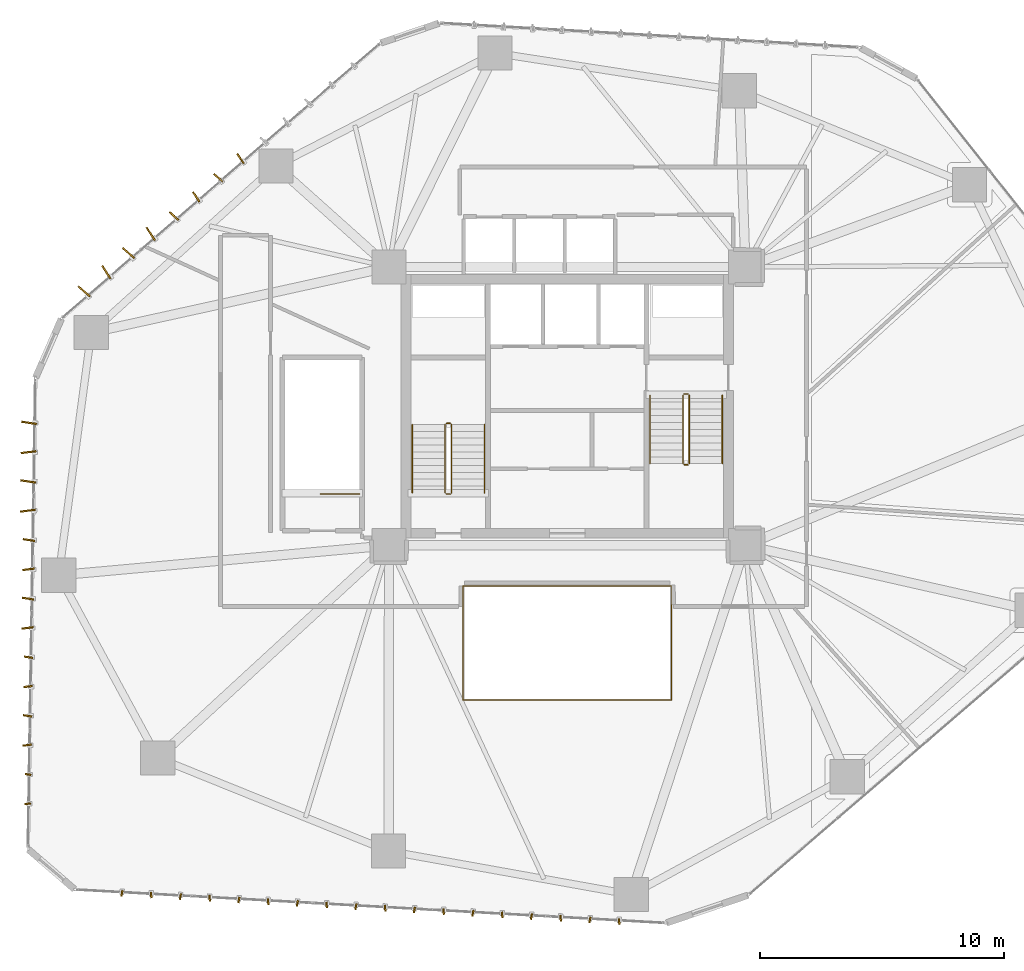
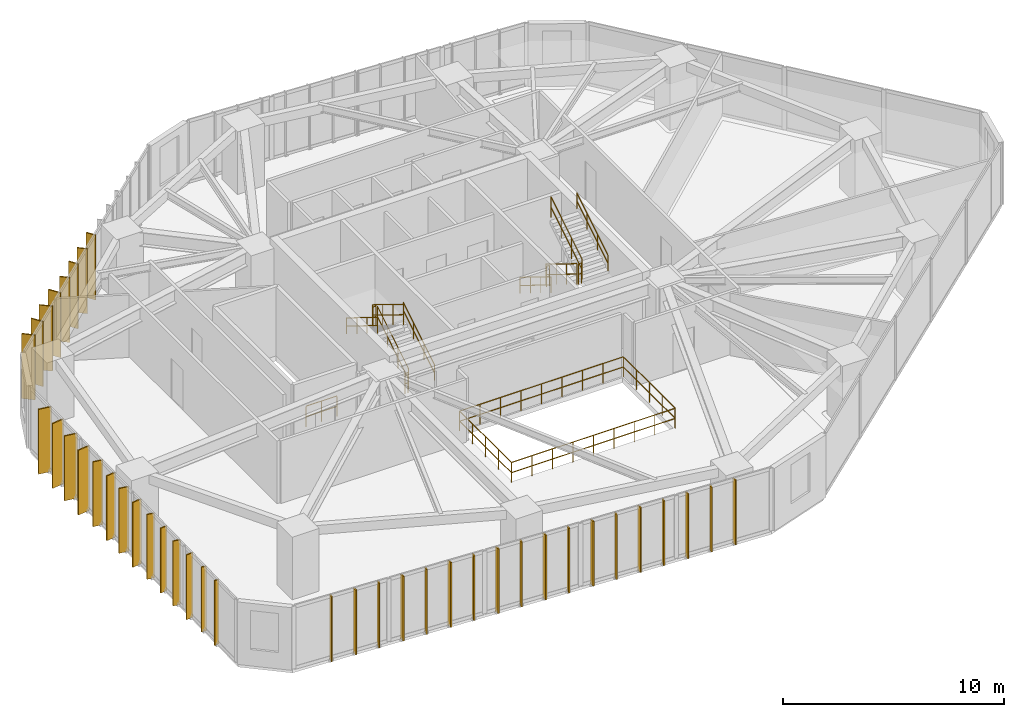
# One storey, part 22 of 24: 40 shading devices, 17 railings.
"""IFC4 building model written with IfcOpenShell, lengths in metres."""

from ifc_helpers import new_model, si_unit, direction, frame, origin, origin_2d, place, context, subcontext, project, spatial, rectangle, circle, extrude, source, transform, mapped, material, layer, layer_set, type_object, type_shapes, element, save


model = new_model("IFC4")

# Units and contexts
model_context = context("Model", 3, precision=1e-05, world=origin(), true_north=direction((0.0, 1.0)))
body_context = subcontext(model_context, "Body", "Model", "MODEL_VIEW")
ifc_project = project(units=[si_unit("LENGTHUNIT", "METRE"), si_unit("AREAUNIT", "SQUARE_METRE"), si_unit("VOLUMEUNIT", "CUBIC_METRE"), si_unit("PLANEANGLEUNIT", "RADIAN"), si_unit("MASSUNIT", "GRAM", prefix="KILO")], contexts=[model_context])

# Site, building, storey
site_placement = place(None, origin())
site = spatial("IfcSite", under=ifc_project, at=site_placement, CompositionType="ELEMENT")
building_placement = place(site_placement, origin())
building = spatial("IfcBuilding", under=site, at=building_placement, Name="Talar Marvaseh", CompositionType="ELEMENT")
storey_placement = place(building_placement, frame((0.0, 0.0, 81.0)))
storey = spatial("IfcBuildingStorey", under=building, at=storey_placement, Name="L20", CompositionType="ELEMENT", Elevation=81.0)

# Railings
ifc_material_1 = material(Name="Stainless Steel Grade 316", Category="steel")
railing_type_1 = type_object("IfcRailingType", Name="Brushed Stainless Wall Pitch Handrail 900", PredefinedType="HANDRAIL", material=ifc_material_1)
railing_1_placement = place(storey_placement, frame((22.610107421875, 27.64990234375, 0.172607421875)))
element("IfcRailing", 1, at=railing_1_placement, inside=storey, type_object=railing_type_1, Name="L20 ST-1 stair handrail 1", PredefinedType="HANDRAIL", context=body_context, shape_type="SweptSolid", body=[
    extrude(circle(Radius=0.02392578125, at=origin_2d()), frame((0.0, 0.0, 0.8759765625), z_axis=(0.0, 0.851089632645, 0.525020415988), x_axis=(-1.0, 0.0, 0.0)), (0.0, 0.0, 1.0), 3.2900390625),
    extrude(circle(Radius=0.02392578125, at=origin_2d()), frame((0.0, 0.0, 0.42578125), z_axis=(0.0, 0.851089632645, 0.525020415988), x_axis=(-1.0, 0.0, 0.0)), (0.0, 0.0, 1.0), 3.2900390625),
    extrude(circle(Radius=0.02099609375, at=origin_2d()), origin(), (0.0, 0.0, 1.0), 0.851806640625),
    extrude(circle(Radius=0.02099609375, at=origin_2d()), frame((0.0, 0.933349609375, 0.57568359375)), (0.0, 0.0, 1.0), 0.851806640625),
    extrude(circle(Radius=0.02099609375, at=origin_2d()), frame((0.0, 1.86669921875, 1.151611328125)), (0.0, 0.0, 1.0), 0.851806640625),
    extrude(circle(Radius=0.02099609375, at=origin_2d()), frame((0.0, 2.800048828125, 1.727294921875)), (0.0, 0.0, 1.0), 0.851806640625),
])
railing_2_placement = place(storey_placement, frame((19.64990234375, 30.449951171875, 2.07275390625)))
element("IfcRailing", 2, at=railing_2_placement, inside=storey, type_object=railing_type_1, Name="L20 ST-1 stair handrail 2", PredefinedType="HANDRAIL", context=body_context, shape_type="SweptSolid", body=[
    extrude(circle(Radius=0.02392578125, at=origin_2d()), frame((0.0, 0.0, 0.8759765625), z_axis=(0.0, -0.851089632645, 0.525020415988), x_axis=(1.0, 0.0, 0.0)), (0.0, 0.0, 1.0), 3.2900390625),
    extrude(circle(Radius=0.02392578125, at=origin_2d()), frame((0.0, 0.0, 0.42578125), z_axis=(0.0, -0.851089632645, 0.525020415988), x_axis=(1.0, 0.0, 0.0)), (0.0, 0.0, 1.0), 3.2900390625),
    extrude(circle(Radius=0.02099609375, at=origin_2d()), origin(), (0.0, 0.0, 1.0), 0.851806640625),
    extrude(circle(Radius=0.02099609375, at=origin_2d()), frame((0.0, -0.933349609375, 0.57568359375)), (0.0, 0.0, 1.0), 0.851806640625),
    extrude(circle(Radius=0.02099609375, at=origin_2d()), frame((0.0, -1.86669921875, 1.151611328125)), (0.0, 0.0, 1.0), 0.851806640625),
    extrude(circle(Radius=0.02099609375, at=origin_2d()), frame((0.0, -2.800048828125, 1.727294921875)), (0.0, 0.0, 1.0), 0.851806640625),
])
railing_3_placement = place(storey_placement, frame((29.389892578125, 31.64990234375, 0.172607421875)))
element("IfcRailing", 3, at=railing_3_placement, inside=storey, type_object=railing_type_1, Name="L20 ST-2 stair handrail 1", PredefinedType="HANDRAIL", context=body_context, shape_type="SweptSolid", body=[
    extrude(circle(Radius=0.02392578125, at=origin_2d()), frame((0.0, 0.0, 0.8759765625), z_axis=(0.0, -0.851069175582, 0.525053576669), x_axis=(1.0, 0.0, 0.0)), (0.0, 0.0, 1.0), 3.289794921875),
    extrude(circle(Radius=0.02392578125, at=origin_2d()), frame((0.0, 0.0, 0.42578125), z_axis=(0.0, -0.851069175582, 0.525053576669), x_axis=(1.0, 0.0, 0.0)), (0.0, 0.0, 1.0), 3.289794921875),
    extrude(circle(Radius=0.02099609375, at=origin_2d()), origin(), (0.0, 0.0, 1.0), 0.851806640625),
    extrude(circle(Radius=0.02099609375, at=origin_2d()), frame((0.0, -0.933349609375, 0.57568359375)), (0.0, 0.0, 1.0), 0.851806640625),
    extrude(circle(Radius=0.02099609375, at=origin_2d()), frame((0.0, -1.866455078125, 1.151611328125)), (0.0, 0.0, 1.0), 0.851806640625),
    extrude(circle(Radius=0.02099609375, at=origin_2d()), frame((0.0, -2.7998046875, 1.727294921875)), (0.0, 0.0, 1.0), 0.851806640625),
])
railing_4_placement = place(storey_placement, frame((32.35009765625, 28.85009765625, 2.07275390625)))
element("IfcRailing", 4, at=railing_4_placement, inside=storey, type_object=railing_type_1, Name="L20 ST-2 stair handrail 2", PredefinedType="HANDRAIL", context=body_context, shape_type="SweptSolid", body=[
    extrude(circle(Radius=0.02392578125, at=origin_2d()), frame((0.0, 0.0, 0.8759765625), z_axis=(0.0, 0.851069175582, 0.525053576669), x_axis=(-1.0, 0.0, 0.0)), (0.0, 0.0, 1.0), 3.289794921875),
    extrude(circle(Radius=0.02392578125, at=origin_2d()), frame((0.0, 0.0, 0.42578125), z_axis=(0.0, 0.851069175582, 0.525053576669), x_axis=(-1.0, 0.0, 0.0)), (0.0, 0.0, 1.0), 3.289794921875),
    extrude(circle(Radius=0.02099609375, at=origin_2d()), origin(), (0.0, 0.0, 1.0), 0.851806640625),
    extrude(circle(Radius=0.02099609375, at=origin_2d()), frame((0.0, 0.933349609375, 0.57568359375)), (0.0, 0.0, 1.0), 0.851806640625),
    extrude(circle(Radius=0.02099609375, at=origin_2d()), frame((0.0, 1.866455078125, 1.151611328125)), (0.0, 0.0, 1.0), 0.851806640625),
    extrude(circle(Radius=0.02099609375, at=origin_2d()), frame((0.0, 2.7998046875, 1.727294921875)), (0.0, 0.0, 1.0), 0.851806640625),
])
ifc_material_2 = material(Name="Tempered Clear Glass", Category="glass")
railing_type_2 = type_object("IfcRailingType", Name="Interior Atrium Edge Balustrade 1120", PredefinedType="BALUSTRADE", material=ifc_material_2)
railing_5_placement = place(storey_placement, frame((21.729736328125, 19.16162109375, 0.0)))
element("IfcRailing", 5, at=railing_5_placement, inside=storey, type_object=railing_type_2, Name="L20 Internal Daylight Atrium Balustrade 1", PredefinedType="BALUSTRADE", context=body_context, shape_type="SweptSolid", body=[
    extrude(circle(Radius=0.02392578125, at=origin_2d()), frame((0.0, 0.0, 1.09619140625), z_axis=(1.0, 0.0, 0.0), x_axis=(0.0, 1.0, 0.0)), (0.0, 0.0, 1.0), 8.54052734375),
    extrude(circle(Radius=0.02392578125, at=origin_2d()), frame((0.0, 0.0, 0.5361328125), z_axis=(1.0, 0.0, 0.0), x_axis=(0.0, 1.0, 0.0)), (0.0, 0.0, 1.0), 8.54052734375),
    extrude(circle(Radius=0.02099609375, at=origin_2d()), origin(), (0.0, 0.0, 1.0), 1.072021484375),
    extrude(circle(Radius=0.02099609375, at=origin_2d()), frame((1.067626953125, 0.0, 0.0)), (0.0, 0.0, 1.0), 1.072021484375),
    extrude(circle(Radius=0.02099609375, at=origin_2d()), frame((2.13525390625, 0.0, 0.0)), (0.0, 0.0, 1.0), 1.072021484375),
    extrude(circle(Radius=0.02099609375, at=origin_2d()), frame((3.20263671875, 0.0, 0.0)), (0.0, 0.0, 1.0), 1.072021484375),
    extrude(circle(Radius=0.02099609375, at=origin_2d()), frame((4.270263671875, 0.0, 0.0)), (0.0, 0.0, 1.0), 1.072021484375),
    extrude(circle(Radius=0.02099609375, at=origin_2d()), frame((5.337890625, 0.0, 0.0)), (0.0, 0.0, 1.0), 1.072021484375),
    extrude(circle(Radius=0.02099609375, at=origin_2d()), frame((6.4052734375, 0.0, 0.0)), (0.0, 0.0, 1.0), 1.072021484375),
    extrude(circle(Radius=0.02099609375, at=origin_2d()), frame((7.472900390625, 0.0, 0.0)), (0.0, 0.0, 1.0), 1.072021484375),
    extrude(circle(Radius=0.02099609375, at=origin_2d()), frame((8.54052734375, 0.0, 0.0)), (0.0, 0.0, 1.0), 1.072021484375),
])
railing_6_placement = place(storey_placement, frame((30.270263671875, 19.16162109375, 0.0)))
element("IfcRailing", 6, at=railing_6_placement, inside=storey, type_object=railing_type_2, Name="L20 Internal Daylight Atrium Balustrade 2", PredefinedType="BALUSTRADE", context=body_context, shape_type="SweptSolid", body=[
    extrude(circle(Radius=0.02392578125, at=origin_2d()), frame((0.0, 0.0, 1.09619140625), z_axis=(0.0, 1.0, 0.0), x_axis=(-1.0, 0.0, 0.0)), (0.0, 0.0, 1.0), 4.6767578125),
    extrude(circle(Radius=0.02392578125, at=origin_2d()), frame((0.0, 0.0, 0.5361328125), z_axis=(0.0, 1.0, 0.0), x_axis=(-1.0, 0.0, 0.0)), (0.0, 0.0, 1.0), 4.6767578125),
    extrude(circle(Radius=0.02099609375, at=origin_2d()), origin(), (0.0, 0.0, 1.0), 1.072021484375),
    extrude(circle(Radius=0.02099609375, at=origin_2d()), frame((0.0, 1.169189453125, 0.0)), (0.0, 0.0, 1.0), 1.072021484375),
    extrude(circle(Radius=0.02099609375, at=origin_2d()), frame((0.0, 2.33837890625, 0.0)), (0.0, 0.0, 1.0), 1.072021484375),
    extrude(circle(Radius=0.02099609375, at=origin_2d()), frame((0.0, 3.507568359375, 0.0)), (0.0, 0.0, 1.0), 1.072021484375),
    extrude(circle(Radius=0.02099609375, at=origin_2d()), frame((0.0, 4.6767578125, 0.0)), (0.0, 0.0, 1.0), 1.072021484375),
])
railing_7_placement = place(storey_placement, frame((30.270263671875, 23.83837890625, 0.0)))
element("IfcRailing", 7, at=railing_7_placement, inside=storey, type_object=railing_type_2, Name="L20 Internal Daylight Atrium Balustrade 3", PredefinedType="BALUSTRADE", context=body_context, shape_type="SweptSolid", body=[
    extrude(circle(Radius=0.02392578125, at=origin_2d()), frame((0.0, 0.0, 1.09619140625), z_axis=(-1.0, 0.0, 0.0), x_axis=(0.0, -1.0, 0.0)), (0.0, 0.0, 1.0), 8.54052734375),
    extrude(circle(Radius=0.02392578125, at=origin_2d()), frame((0.0, 0.0, 0.5361328125), z_axis=(-1.0, 0.0, 0.0), x_axis=(0.0, -1.0, 0.0)), (0.0, 0.0, 1.0), 8.54052734375),
    extrude(circle(Radius=0.02099609375, at=origin_2d()), origin(), (0.0, 0.0, 1.0), 1.072021484375),
    extrude(circle(Radius=0.02099609375, at=origin_2d()), frame((-1.067626953125, 0.0, 0.0)), (0.0, 0.0, 1.0), 1.072021484375),
    extrude(circle(Radius=0.02099609375, at=origin_2d()), frame((-2.13525390625, 0.0, 0.0)), (0.0, 0.0, 1.0), 1.072021484375),
    extrude(circle(Radius=0.02099609375, at=origin_2d()), frame((-3.20263671875, 0.0, 0.0)), (0.0, 0.0, 1.0), 1.072021484375),
    extrude(circle(Radius=0.02099609375, at=origin_2d()), frame((-4.270263671875, 0.0, 0.0)), (0.0, 0.0, 1.0), 1.072021484375),
    extrude(circle(Radius=0.02099609375, at=origin_2d()), frame((-5.337890625, 0.0, 0.0)), (0.0, 0.0, 1.0), 1.072021484375),
    extrude(circle(Radius=0.02099609375, at=origin_2d()), frame((-6.4052734375, 0.0, 0.0)), (0.0, 0.0, 1.0), 1.072021484375),
    extrude(circle(Radius=0.02099609375, at=origin_2d()), frame((-7.472900390625, 0.0, 0.0)), (0.0, 0.0, 1.0), 1.072021484375),
    extrude(circle(Radius=0.02099609375, at=origin_2d()), frame((-8.54052734375, 0.0, 0.0)), (0.0, 0.0, 1.0), 1.072021484375),
])
railing_8_placement = place(storey_placement, frame((21.729736328125, 23.83837890625, 0.0)))
element("IfcRailing", 8, at=railing_8_placement, inside=storey, type_object=railing_type_2, Name="L20 Internal Daylight Atrium Balustrade 4", PredefinedType="BALUSTRADE", context=body_context, shape_type="SweptSolid", body=[
    extrude(circle(Radius=0.02392578125, at=origin_2d()), frame((0.0, 0.0, 1.09619140625), z_axis=(0.0, -1.0, 0.0), x_axis=(1.0, 0.0, 0.0)), (0.0, 0.0, 1.0), 4.6767578125),
    extrude(circle(Radius=0.02392578125, at=origin_2d()), frame((0.0, 0.0, 0.5361328125), z_axis=(0.0, -1.0, 0.0), x_axis=(1.0, 0.0, 0.0)), (0.0, 0.0, 1.0), 4.6767578125),
    extrude(circle(Radius=0.02099609375, at=origin_2d()), origin(), (0.0, 0.0, 1.0), 1.072021484375),
    extrude(circle(Radius=0.02099609375, at=origin_2d()), frame((0.0, -1.169189453125, 0.0)), (0.0, 0.0, 1.0), 1.072021484375),
    extrude(circle(Radius=0.02099609375, at=origin_2d()), frame((0.0, -2.33837890625, 0.0)), (0.0, 0.0, 1.0), 1.072021484375),
    extrude(circle(Radius=0.02099609375, at=origin_2d()), frame((0.0, -3.507568359375, 0.0)), (0.0, 0.0, 1.0), 1.072021484375),
    extrude(circle(Radius=0.02099609375, at=origin_2d()), frame((0.0, -4.6767578125, 0.0)), (0.0, 0.0, 1.0), 1.072021484375),
])
railing_type_3 = type_object("IfcRailingType", Name="Painted Steel Core Stair Well Guardrail 1150", PredefinedType="GUARDRAIL", material=ifc_material_1)
railing_9_placement = place(storey_placement, frame((21.260009765625, 27.64990234375, 0.172607421875)))
element("IfcRailing", 9, at=railing_9_placement, inside=storey, type_object=railing_type_3, Name="L20 ST-1 stair guard 1", PredefinedType="GUARDRAIL", context=body_context, shape_type="SweptSolid", body=[
    extrude(circle(Radius=0.02392578125, at=origin_2d()), frame((0.0, 0.0, 1.1259765625), z_axis=(0.0, 0.851089632645, 0.525020415988), x_axis=(-1.0, 0.0, 0.0)), (0.0, 0.0, 1.0), 3.2900390625),
    extrude(circle(Radius=0.02392578125, at=origin_2d()), frame((0.0, 0.0, 0.55078125), z_axis=(0.0, 0.851089632645, 0.525020415988), x_axis=(-1.0, 0.0, 0.0)), (0.0, 0.0, 1.0), 3.2900390625),
    extrude(circle(Radius=0.02099609375, at=origin_2d()), origin(), (0.0, 0.0, 1.0), 1.101806640625),
    extrude(circle(Radius=0.02099609375, at=origin_2d()), frame((0.0, 0.933349609375, 0.57568359375)), (0.0, 0.0, 1.0), 1.101806640625),
    extrude(circle(Radius=0.02099609375, at=origin_2d()), frame((0.0, 1.86669921875, 1.151611328125)), (0.0, 0.0, 1.0), 1.101806640625),
    extrude(circle(Radius=0.02099609375, at=origin_2d()), frame((0.0, 2.800048828125, 1.727294921875)), (0.0, 0.0, 1.0), 1.101806640625),
])
railing_10_placement = place(storey_placement, frame((21.2099609375, 30.5, 1.89990234375)))
element("IfcRailing", 10, at=railing_10_placement, inside=storey, type_object=railing_type_3, Name="L20 ST-1 stair guard 2", PredefinedType="GUARDRAIL", context=body_context, shape_type="SweptSolid", body=[
    extrude(circle(Radius=0.02392578125, at=origin_2d()), frame((0.0, 0.0, 1.1259765625), z_axis=(-1.0, 0.0, 0.0), x_axis=(0.0, -1.0, 0.0)), (0.0, 0.0, 1.0), 0.159912109375),
    extrude(circle(Radius=0.02392578125, at=origin_2d()), frame((0.0, 0.0, 0.55078125), z_axis=(-1.0, 0.0, 0.0), x_axis=(0.0, -1.0, 0.0)), (0.0, 0.0, 1.0), 0.159912109375),
    extrude(circle(Radius=0.02099609375, at=origin_2d()), origin(), (0.0, 0.0, 1.0), 1.101806640625),
    extrude(circle(Radius=0.02099609375, at=origin_2d()), frame((-0.159912109375, 0.0, 0.0)), (0.0, 0.0, 1.0), 1.101806640625),
])
railing_11_placement = place(storey_placement, frame((21.0, 30.449951171875, 2.07275390625)))
element("IfcRailing", 11, at=railing_11_placement, inside=storey, type_object=railing_type_3, Name="L20 ST-1 stair guard 3", PredefinedType="GUARDRAIL", context=body_context, shape_type="SweptSolid", body=[
    extrude(circle(Radius=0.02392578125, at=origin_2d()), frame((0.0, 0.0, 1.1259765625), z_axis=(0.0, -0.851089632645, 0.525020415988), x_axis=(1.0, 0.0, 0.0)), (0.0, 0.0, 1.0), 3.2900390625),
    extrude(circle(Radius=0.02392578125, at=origin_2d()), frame((0.0, 0.0, 0.55078125), z_axis=(0.0, -0.851089632645, 0.525020415988), x_axis=(1.0, 0.0, 0.0)), (0.0, 0.0, 1.0), 3.2900390625),
    extrude(circle(Radius=0.02099609375, at=origin_2d()), origin(), (0.0, 0.0, 1.0), 1.101806640625),
    extrude(circle(Radius=0.02099609375, at=origin_2d()), frame((0.0, -0.933349609375, 0.57568359375)), (0.0, 0.0, 1.0), 1.101806640625),
    extrude(circle(Radius=0.02099609375, at=origin_2d()), frame((0.0, -1.86669921875, 1.151611328125)), (0.0, 0.0, 1.0), 1.101806640625),
    extrude(circle(Radius=0.02099609375, at=origin_2d()), frame((0.0, -2.800048828125, 1.727294921875)), (0.0, 0.0, 1.0), 1.101806640625),
])
railing_12_placement = place(storey_placement, frame((21.2099609375, 27.60009765625, 0.0)))
element("IfcRailing", 12, at=railing_12_placement, inside=storey, type_object=railing_type_3, Name="L20 ST-1 stair guard 4", PredefinedType="GUARDRAIL", context=body_context, shape_type="SweptSolid", body=[
    extrude(circle(Radius=0.02392578125, at=origin_2d()), frame((0.0, 0.0, 1.1259765625), z_axis=(-1.0, 0.0, 0.0), x_axis=(0.0, -1.0, 0.0)), (0.0, 0.0, 1.0), 0.159912109375),
    extrude(circle(Radius=0.02392578125, at=origin_2d()), frame((0.0, 0.0, 0.55078125), z_axis=(-1.0, 0.0, 0.0), x_axis=(0.0, -1.0, 0.0)), (0.0, 0.0, 1.0), 0.159912109375),
    extrude(circle(Radius=0.02099609375, at=origin_2d()), origin(), (0.0, 0.0, 1.0), 1.101806640625),
    extrude(circle(Radius=0.02099609375, at=origin_2d()), frame((-0.159912109375, 0.0, 0.0)), (0.0, 0.0, 1.0), 1.101806640625),
])
railing_13_placement = place(storey_placement, frame((30.739990234375, 31.64990234375, 0.172607421875)))
element("IfcRailing", 13, at=railing_13_placement, inside=storey, type_object=railing_type_3, Name="L20 ST-2 stair guard 1", PredefinedType="GUARDRAIL", context=body_context, shape_type="SweptSolid", body=[
    extrude(circle(Radius=0.02392578125, at=origin_2d()), frame((0.0, 0.0, 1.1259765625), z_axis=(0.0, -0.851069175582, 0.525053576669), x_axis=(1.0, 0.0, 0.0)), (0.0, 0.0, 1.0), 3.289794921875),
    extrude(circle(Radius=0.02392578125, at=origin_2d()), frame((0.0, 0.0, 0.55078125), z_axis=(0.0, -0.851069175582, 0.525053576669), x_axis=(1.0, 0.0, 0.0)), (0.0, 0.0, 1.0), 3.289794921875),
    extrude(circle(Radius=0.02099609375, at=origin_2d()), origin(), (0.0, 0.0, 1.0), 1.101806640625),
    extrude(circle(Radius=0.02099609375, at=origin_2d()), frame((0.0, -0.933349609375, 0.57568359375)), (0.0, 0.0, 1.0), 1.101806640625),
    extrude(circle(Radius=0.02099609375, at=origin_2d()), frame((0.0, -1.866455078125, 1.151611328125)), (0.0, 0.0, 1.0), 1.101806640625),
    extrude(circle(Radius=0.02099609375, at=origin_2d()), frame((0.0, -2.7998046875, 1.727294921875)), (0.0, 0.0, 1.0), 1.101806640625),
])
railing_14_placement = place(storey_placement, frame((30.7900390625, 28.800048828125, 1.89990234375)))
element("IfcRailing", 14, at=railing_14_placement, inside=storey, type_object=railing_type_3, Name="L20 ST-2 stair guard 2", PredefinedType="GUARDRAIL", context=body_context, shape_type="SweptSolid", body=[
    extrude(circle(Radius=0.02392578125, at=origin_2d()), frame((0.0, 0.0, 1.1259765625), z_axis=(1.0, 0.0, 0.0), x_axis=(0.0, 1.0, 0.0)), (0.0, 0.0, 1.0), 0.159912109375),
    extrude(circle(Radius=0.02392578125, at=origin_2d()), frame((0.0, 0.0, 0.55078125), z_axis=(1.0, 0.0, 0.0), x_axis=(0.0, 1.0, 0.0)), (0.0, 0.0, 1.0), 0.159912109375),
    extrude(circle(Radius=0.02099609375, at=origin_2d()), origin(), (0.0, 0.0, 1.0), 1.101806640625),
    extrude(circle(Radius=0.02099609375, at=origin_2d()), frame((0.159912109375, 0.0, 0.0)), (0.0, 0.0, 1.0), 1.101806640625),
])
railing_15_placement = place(storey_placement, frame((31.0, 28.85009765625, 2.07275390625)))
element("IfcRailing", 15, at=railing_15_placement, inside=storey, type_object=railing_type_3, Name="L20 ST-2 stair guard 3", PredefinedType="GUARDRAIL", context=body_context, shape_type="SweptSolid", body=[
    extrude(circle(Radius=0.02392578125, at=origin_2d()), frame((0.0, 0.0, 1.1259765625), z_axis=(0.0, 0.851069175582, 0.525053576669), x_axis=(-1.0, 0.0, 0.0)), (0.0, 0.0, 1.0), 3.289794921875),
    extrude(circle(Radius=0.02392578125, at=origin_2d()), frame((0.0, 0.0, 0.55078125), z_axis=(0.0, 0.851069175582, 0.525053576669), x_axis=(-1.0, 0.0, 0.0)), (0.0, 0.0, 1.0), 3.289794921875),
    extrude(circle(Radius=0.02099609375, at=origin_2d()), origin(), (0.0, 0.0, 1.0), 1.101806640625),
    extrude(circle(Radius=0.02099609375, at=origin_2d()), frame((0.0, 0.933349609375, 0.57568359375)), (0.0, 0.0, 1.0), 1.101806640625),
    extrude(circle(Radius=0.02099609375, at=origin_2d()), frame((0.0, 1.866455078125, 1.151611328125)), (0.0, 0.0, 1.0), 1.101806640625),
    extrude(circle(Radius=0.02099609375, at=origin_2d()), frame((0.0, 2.7998046875, 1.727294921875)), (0.0, 0.0, 1.0), 1.101806640625),
])
railing_16_placement = place(storey_placement, frame((30.7900390625, 31.699951171875, 0.0)))
element("IfcRailing", 16, at=railing_16_placement, inside=storey, type_object=railing_type_3, Name="L20 ST-2 stair guard 4", PredefinedType="GUARDRAIL", context=body_context, shape_type="SweptSolid", body=[
    extrude(circle(Radius=0.02392578125, at=origin_2d()), frame((0.0, 0.0, 1.1259765625), z_axis=(1.0, 0.0, 0.0), x_axis=(0.0, 1.0, 0.0)), (0.0, 0.0, 1.0), 0.159912109375),
    extrude(circle(Radius=0.02392578125, at=origin_2d()), frame((0.0, 0.0, 0.55078125), z_axis=(1.0, 0.0, 0.0), x_axis=(0.0, 1.0, 0.0)), (0.0, 0.0, 1.0), 0.159912109375),
    extrude(circle(Radius=0.02099609375, at=origin_2d()), origin(), (0.0, 0.0, 1.0), 1.101806640625),
    extrude(circle(Radius=0.02099609375, at=origin_2d()), frame((0.159912109375, 0.0, 0.0)), (0.0, 0.0, 1.0), 1.101806640625),
])
railing_17_placement = place(storey_placement, frame((17.5, 27.60009765625, 0.0)))
element("IfcRailing", 17, at=railing_17_placement, inside=storey, type_object=railing_type_3, Name="L20 ST-3 top well guard 1", PredefinedType="GUARDRAIL", context=body_context, shape_type="SweptSolid", body=[
    extrude(circle(Radius=0.02392578125, at=origin_2d()), frame((0.0, 0.0, 1.1259765625), z_axis=(-1.0, 0.0, 0.0), x_axis=(0.0, -1.0, 0.0)), (0.0, 0.0, 1.0), 1.610107421875),
    extrude(circle(Radius=0.02392578125, at=origin_2d()), frame((0.0, 0.0, 0.55078125), z_axis=(-1.0, 0.0, 0.0), x_axis=(0.0, -1.0, 0.0)), (0.0, 0.0, 1.0), 1.610107421875),
    extrude(circle(Radius=0.02099609375, at=origin_2d()), origin(), (0.0, 0.0, 1.0), 1.101806640625),
    extrude(circle(Radius=0.02099609375, at=origin_2d()), frame((-0.80517578125, 0.0, 0.0)), (0.0, 0.0, 1.0), 1.101806640625),
    extrude(circle(Radius=0.02099609375, at=origin_2d()), frame((-1.610107421875, 0.0, 0.0)), (0.0, 0.0, 1.0), 1.101806640625),
])

# Shading devices
ifc_material_3 = material(Name="Anodised Champagne Bronze Aluminium", Category="aluminium")
ifc_layer_1 = layer(ifc_material_3, 0.06494140625)
ifc_layer_set_1 = layer_set([ifc_layer_1], Name="Anodised Champagne Bronze Aluminium")
shading_device_type_1 = type_object("IfcShadingDeviceType", Name="Sawtooth Champagne Bronze Vertical Fin 240", PredefinedType="USERDEFINED", material=ifc_layer_set_1)
shared_shape_1 = source(origin(), body_context, "Body", "SweptSolid", [
    extrude(rectangle(XDim=0.239990234375, YDim=0.06494140625, at=origin_2d()), origin(), (0.0, 0.0, 1.0), 3.570068359375),
])
type_shapes(shading_device_type_1, [shared_shape_1])
for number, where, z_axis, x_axis, name in (
    (18, (3.899169921875, 14.91796875, -0.1201171875), (0.0, 0.0, 1.0), (-0.992331937885, -0.12360147674, 0.0), "L20 Sawtooth Vertical Solar Fin"),
    (19, (3.918212890625, 16.117919921875, -0.1201171875), (0.0, 0.0, 1.0), (-0.987959865769, 0.154710386299, 0.0), "L20 Sawtooth Vertical Solar Fin"),
    (20, (28.126708984375, 10.093017578125, -0.1201171875), (0.0, 0.0, 1.0), (0.082982139742, -0.996551034561, 0.0), "L20 Sawtooth Vertical Solar Fin"),
    (21, (26.9287109375, 10.160888671875, -0.1201171875), (0.0, 0.0, 1.0), (-0.194919139722, -0.980819315149, 0.0), "L20 Sawtooth Vertical Solar Fin"),
    (22, (25.73046875, 10.228515625, -0.1201171875), (0.0, 0.0, 1.0), (0.082982139742, -0.996551034561, 0.0), "L20 Sawtooth Vertical Solar Fin"),
    (23, (24.532470703125, 10.29638671875, -0.1201171875), (0.0, 0.0, 1.0), (-0.194919139722, -0.980819315149, 0.0), "L20 Sawtooth Vertical Solar Fin"),
    (24, (23.33447265625, 10.3642578125, -0.1201171875), (0.0, 0.0, 1.0), (0.082982139742, -0.996551034561, 0.0), "L20 Sawtooth Vertical Solar Fin"),
    (25, (22.13623046875, 10.43212890625, -0.1201171875), (0.0, 0.0, 1.0), (-0.194919139722, -0.980819315149, 0.0), "L20 Sawtooth Vertical Solar Fin"),
    (26, (20.938232421875, 10.5, -0.1201171875), (0.0, 0.0, 1.0), (0.082982139742, -0.996551034561, 0.0), "L20 Sawtooth Vertical Solar Fin"),
    (27, (19.739990234375, 10.56787109375, -0.1201171875), (0.0, 0.0, 1.0), (-0.194919139722, -0.980819315149, 0.0), "L20 Sawtooth Vertical Solar Fin"),
    (28, (18.5419921875, 10.6357421875, -0.1201171875), (0.0, 0.0, 1.0), (0.082982139742, -0.996551034561, 0.0), "L20 Sawtooth Vertical Solar Fin"),
    (29, (17.343994140625, 10.70361328125, -0.1201171875), (0.0, 0.0, 1.0), (-0.194919139722, -0.980819315149, 0.0), "L20 Sawtooth Vertical Solar Fin"),
    (30, (16.14599609375, 10.771484375, -0.1201171875), (0.0, 0.0, 1.0), (0.082982139742, -0.996551034561, 0.0), "L20 Sawtooth Vertical Solar Fin"),
    (31, (14.94775390625, 10.839111328125, -0.1201171875), (0.0, 0.0, 1.0), (-0.194919139722, -0.980819315149, 0.0), "L20 Sawtooth Vertical Solar Fin"),
    (32, (13.749755859375, 10.906982421875, -0.1201171875), (0.0, 0.0, 1.0), (0.082982139742, -0.996551034561, 0.0), "L20 Sawtooth Vertical Solar Fin"),
    (33, (12.5517578125, 10.974853515625, -0.1201171875), (0.0, 0.0, 1.0), (-0.194919139722, -0.980819315149, 0.0), "L20 Sawtooth Vertical Solar Fin"),
    (34, (11.353515625, 11.042724609375, -0.1201171875), (0.0, 0.0, 1.0), (0.082982139742, -0.996551034561, 0.0), "L20 Sawtooth Vertical Solar Fin"),
    (35, (10.155517578125, 11.110595703125, -0.1201171875), (0.0, 0.0, 1.0), (-0.194919139722, -0.980819315149, 0.0), "L20 Sawtooth Vertical Solar Fin"),
    (36, (8.95751953125, 11.178466796875, -0.1201171875), (0.0, 0.0, 1.0), (0.082982139742, -0.996551034561, 0.0), "L20 Sawtooth Vertical Solar Fin"),
    (37, (7.75927734375, 11.246337890625, -0.1201171875), (0.0, 0.0, 1.0), (-0.194919139722, -0.980819315149, 0.0), "L20 Sawtooth Vertical Solar Fin"),
):
    element("IfcShadingDevice", number, at=place(storey_placement, frame(where, z_axis=z_axis, x_axis=x_axis)), inside=storey, type_object=shading_device_type_1, Name=name, ObjectType="FIN", PredefinedType="USERDEFINED", context=body_context, shape_type="MappedRepresentation", body=[
        mapped(shared_shape_1, transform((0.0, 0.0, 0.0), x_axis=(1.0, 0.0, 0.0), y_axis=(0.0, 1.0, 0.0), z_axis=(0.0, 0.0, 1.0), scale=1.0)),
    ])
ifc_layer_2 = layer(ifc_material_3, 0.06494140625)
ifc_layer_set_2 = layer_set([ifc_layer_2], Name="Anodised Champagne Bronze Aluminium")
shading_device_type_2 = type_object("IfcShadingDeviceType", Name="Sawtooth Champagne Bronze Vertical Fin 360", PredefinedType="USERDEFINED", material=ifc_layer_set_2)
shared_shape_2 = source(origin(), body_context, "Body", "SweptSolid", [
    extrude(rectangle(XDim=0.360107421875, YDim=0.06494140625, at=origin_2d()), origin(), (0.0, 0.0, 1.0), 3.570068359375),
])
type_shapes(shading_device_type_2, [shared_shape_2])
for number, where, z_axis, x_axis, name in (
    (38, (3.877197265625, 17.318603515625, -0.1201171875), (0.0, 0.0, 1.0), (-0.992331937885, -0.12360147674, 0.0), "L20 Sawtooth Vertical Solar Fin"),
    (39, (3.89599609375, 18.518310546875, -0.1201171875), (0.0, 0.0, 1.0), (-0.987959865769, 0.154710386299, 0.0), "L20 Sawtooth Vertical Solar Fin"),
    (40, (3.914794921875, 19.71826171875, -0.1201171875), (0.0, 0.0, 1.0), (-0.992331937885, -0.12360147674, 0.0), "L20 Sawtooth Vertical Solar Fin"),
    (41, (3.933837890625, 20.918212890625, -0.1201171875), (0.0, 0.0, 1.0), (-0.987959865769, 0.154710386299, 0.0), "L20 Sawtooth Vertical Solar Fin"),
):
    element("IfcShadingDevice", number, at=place(storey_placement, frame(where, z_axis=z_axis, x_axis=x_axis)), inside=storey, type_object=shading_device_type_2, Name=name, ObjectType="FIN", PredefinedType="USERDEFINED", context=body_context, shape_type="MappedRepresentation", body=[
        mapped(shared_shape_2, transform((0.0, 0.0, 0.0), x_axis=(1.0, 0.0, 0.0), y_axis=(0.0, 1.0, 0.0), z_axis=(0.0, 0.0, 1.0), scale=1.0)),
    ])
ifc_layer_3 = layer(ifc_material_3, 0.06494140625)
ifc_layer_set_3 = layer_set([ifc_layer_3], Name="Anodised Champagne Bronze Aluminium")
shading_device_type_3 = type_object("IfcShadingDeviceType", Name="Sawtooth Champagne Bronze Vertical Fin 480", PredefinedType="USERDEFINED", material=ifc_layer_set_3)
shared_shape_3 = source(origin(), body_context, "Body", "SweptSolid", [
    extrude(rectangle(XDim=0.47998046875, YDim=0.06494140625, at=origin_2d()), origin(), (0.0, 0.0, 1.0), 3.570068359375),
])
type_shapes(shading_device_type_3, [shared_shape_3])
for number, where, z_axis, x_axis, name in (
    (42, (3.892822265625, 22.118896484375, -0.1201171875), (0.0, 0.0, 1.0), (-0.992331937885, -0.12360147674, 0.0), "L20 Sawtooth Vertical Solar Fin"),
    (43, (3.91162109375, 23.31884765625, -0.1201171875), (0.0, 0.0, 1.0), (-0.987959865769, 0.154710386299, 0.0), "L20 Sawtooth Vertical Solar Fin"),
    (44, (3.9306640625, 24.5185546875, -0.1201171875), (0.0, 0.0, 1.0), (-0.992331937885, -0.12360147674, 0.0), "L20 Sawtooth Vertical Solar Fin"),
    (45, (3.94970703125, 25.718505859375, -0.1201171875), (0.0, 0.0, 1.0), (-0.987959865769, 0.154710386299, 0.0), "L20 Sawtooth Vertical Solar Fin"),
    (46, (9.893310546875, 38.9892578125, -0.1201171875), (0.0, 0.0, 1.0), (-0.752644789048, 0.658426777644, 0.0), "L20 Sawtooth Vertical Solar Fin"),
    (47, (10.801513671875, 39.773681640625, -0.1201171875), (0.0, 0.0, 1.0), (-0.54200159037, 0.840377460452, 0.0), "L20 Sawtooth Vertical Solar Fin"),
    (48, (11.709716796875, 40.55810546875, -0.1201171875), (0.0, 0.0, 1.0), (-0.752644789048, 0.658426777644, 0.0), "L20 Sawtooth Vertical Solar Fin"),
    (49, (12.617919921875, 41.342529296875, -0.1201171875), (0.0, 0.0, 1.0), (-0.54200159037, 0.840377460452, 0.0), "L20 Sawtooth Vertical Solar Fin"),
):
    element("IfcShadingDevice", number, at=place(storey_placement, frame(where, z_axis=z_axis, x_axis=x_axis)), inside=storey, type_object=shading_device_type_3, Name=name, ObjectType="FIN", PredefinedType="USERDEFINED", context=body_context, shape_type="MappedRepresentation", body=[
        mapped(shared_shape_3, transform((0.0, 0.0, 0.0), x_axis=(1.0, 0.0, 0.0), y_axis=(0.0, 1.0, 0.0), z_axis=(0.0, 0.0, 1.0), scale=1.0)),
    ])
ifc_layer_4 = layer(ifc_material_3, 0.06494140625)
ifc_layer_set_4 = layer_set([ifc_layer_4], Name="Anodised Champagne Bronze Aluminium")
shading_device_type_4 = type_object("IfcShadingDeviceType", Name="Sawtooth Champagne Bronze Vertical Fin 620", PredefinedType="USERDEFINED", material=ifc_layer_set_4)
shared_shape_4 = source(origin(), body_context, "Body", "SweptSolid", [
    extrude(rectangle(XDim=0.6201171875, YDim=0.06494140625, at=origin_2d()), origin(), (0.0, 0.0, 1.0), 3.570068359375),
])
type_shapes(shading_device_type_4, [shared_shape_4])
for number, where, z_axis, x_axis, name in (
    (50, (3.8984375, 26.91943359375, -0.1201171875), (0.0, 0.0, 1.0), (-0.992331937885, -0.12360147674, 0.0), "L20 Sawtooth Vertical Solar Fin"),
    (51, (3.91748046875, 28.119384765625, -0.1201171875), (0.0, 0.0, 1.0), (-0.987959865769, 0.154710386299, 0.0), "L20 Sawtooth Vertical Solar Fin"),
    (52, (3.936279296875, 29.319091796875, -0.1201171875), (0.0, 0.0, 1.0), (-0.992331937885, -0.12360147674, 0.0), "L20 Sawtooth Vertical Solar Fin"),
    (53, (3.955322265625, 30.51904296875, -0.1201171875), (0.0, 0.0, 1.0), (-0.987959865769, 0.154710386299, 0.0), "L20 Sawtooth Vertical Solar Fin"),
    (54, (6.215087890625, 35.90478515625, -0.1201171875), (0.0, 0.0, 1.0), (-0.752644789048, 0.658426777644, 0.0), "L20 Sawtooth Vertical Solar Fin"),
    (55, (7.123291015625, 36.689208984375, -0.1201171875), (0.0, 0.0, 1.0), (-0.54200159037, 0.840377460452, 0.0), "L20 Sawtooth Vertical Solar Fin"),
    (56, (8.031494140625, 37.473388671875, -0.1201171875), (0.0, 0.0, 1.0), (-0.752644789048, 0.658426777644, 0.0), "L20 Sawtooth Vertical Solar Fin"),
    (57, (8.939453125, 38.2578125, -0.1201171875), (0.0, 0.0, 1.0), (-0.54200159037, 0.840377460452, 0.0), "L20 Sawtooth Vertical Solar Fin"),
):
    element("IfcShadingDevice", number, at=place(storey_placement, frame(where, z_axis=z_axis, x_axis=x_axis)), inside=storey, type_object=shading_device_type_4, Name=name, ObjectType="FIN", PredefinedType="USERDEFINED", context=body_context, shape_type="MappedRepresentation", body=[
        mapped(shared_shape_4, transform((0.0, 0.0, 0.0), x_axis=(1.0, 0.0, 0.0), y_axis=(0.0, 1.0, 0.0), z_axis=(0.0, 0.0, 1.0), scale=1.0)),
    ])

save(model, "model.ifc")
